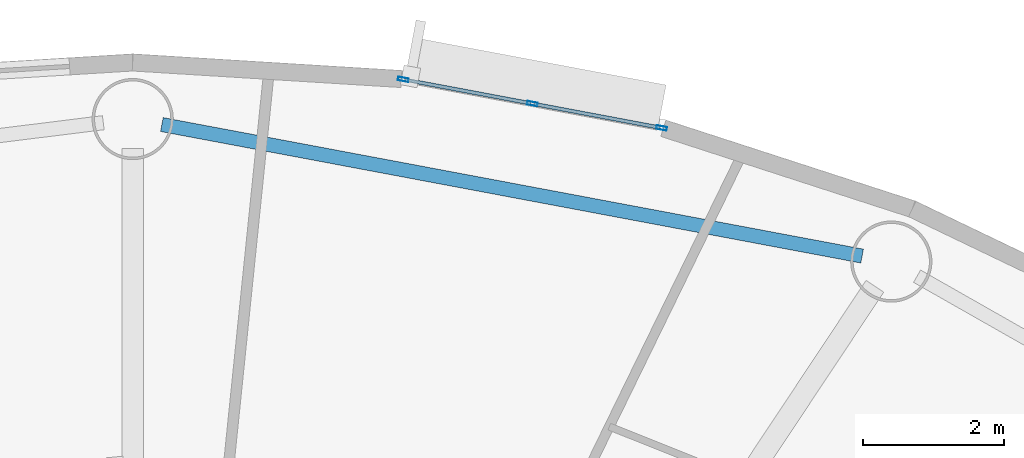
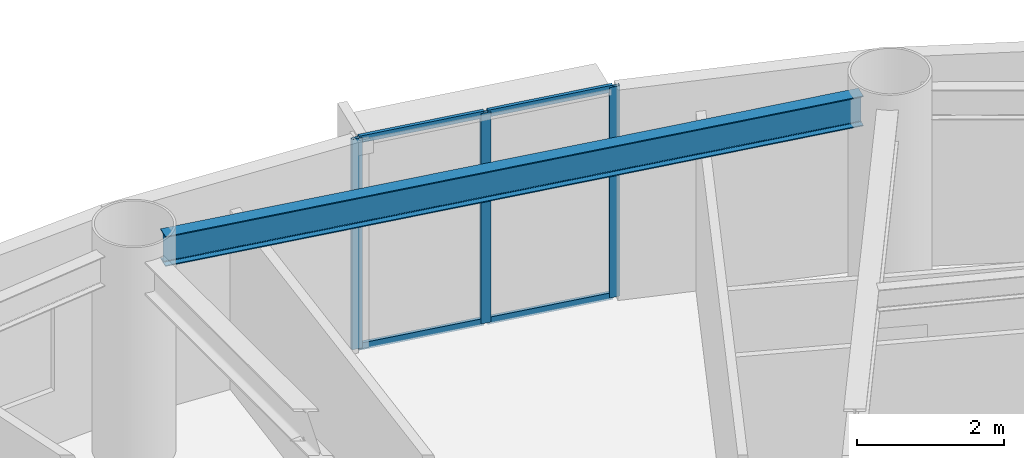
# One storey, part 4 of 18: 7 members, 1 beam, 1 element without a shape of its own.
"""IFC4 building model written with IfcOpenShell, lengths in metres."""

from ifc_helpers import new_model, si_unit, direction, frame, origin, origin_2d, place, context, subcontext, project, spatial, hollow_rectangle, i_section, extrude, source, transform, mapped, material, layer, layer_set, material_profile, profile_set, type_object, element, aggregate, save


model = new_model("IFC4")

# Units and contexts
model_context = context("Model", 3, precision=1e-05, world=origin(), true_north=direction((0.0, 1.0)))
body_context = subcontext(model_context, "Body", "Model", "MODEL_VIEW")
ifc_project = project(units=[si_unit("LENGTHUNIT", "METRE"), si_unit("AREAUNIT", "SQUARE_METRE"), si_unit("VOLUMEUNIT", "CUBIC_METRE"), si_unit("PLANEANGLEUNIT", "RADIAN"), si_unit("MASSUNIT", "GRAM", prefix="KILO")], contexts=[model_context])

# Site, building, storey
site_placement = place(None, origin())
site = spatial("IfcSite", under=ifc_project, at=site_placement, CompositionType="ELEMENT")
building_placement = place(site_placement, origin())
building = spatial("IfcBuilding", under=site, at=building_placement, Name="Linh Dai School and Residence Tower", CompositionType="ELEMENT")
storey_placement = place(building_placement, frame((0.0, 0.0, 225.300048828125)))
storey = spatial("IfcBuildingStorey", under=building, at=storey_placement, Name="L55", CompositionType="ELEMENT", Elevation=225.300048828125)

# Beam
ifc_material_1 = material(Name="Structural Steel S355JR", Category="steel")
ifc_material_profile_1 = material_profile(ifc_material_1, i_section(OverallWidth=0.199951171875, OverallDepth=0.5, WebThickness=0.01025390625, FlangeThickness=0.01611328125, FilletRadius=0.02099609375, at=origin_2d()), Name="IPE 500")
ifc_profile_set_1 = profile_set([ifc_material_profile_1], Name="Structural Steel S355JR")
beam_type = type_object("IfcBeamType", Name="BM-RB50", PredefinedType="BEAM", material=ifc_profile_set_1)
beam_placement = place(storey_placement, frame((46.32177734375, 43.240966796875, 3.25), z_axis=(-0.982806607762, 0.184637947722, 0.0), x_axis=(-0.184637947722, -0.982806607762, 0.0)))
element("IfcBeam", 1, at=beam_placement, inside=storey, type_object=beam_type, Name="L55 Perimeter Elliptical Ring Beam 04", PredefinedType="BEAM", context=body_context, shape_type="SweptSolid", body=[
    extrude(i_section(OverallWidth=0.199951171875, OverallDepth=0.5, WebThickness=0.01025390625, FlangeThickness=0.01611328125, FilletRadius=0.02099609375, at=origin_2d()), origin(), (0.0, 0.0, 1.0), 10.082275390625),
])

# Curtain wall, members
ifc_material_2 = material(Name="Aluminium Anodised Curtain Wall", Category="aluminium")
ifc_layer = layer(ifc_material_2, 0.14990234375)
ifc_layer_set = layer_set([ifc_layer], Name="Aluminium Anodised Curtain Wall")
curtain_wall_type = type_object("IfcCurtainWallType", Name="CW-SYS-4", PredefinedType="USERDEFINED", material=ifc_layer_set)
curtain_wall_placement = place(storey_placement, origin())
curtain_wall = element("IfcCurtainWall", 2, at=curtain_wall_placement, inside=storey, type_object=curtain_wall_type, Name="L55 CW4 Curtain Wall 09", ObjectType="RIBBON CURTAIN WALL", PredefinedType="USERDEFINED")
ifc_material_3 = material(Name="Aluminium Alloy 6063-T6", Category="aluminium")
ifc_material_profile_2 = material_profile(ifc_material_3, hollow_rectangle(XDim=0.052001953125, YDim=0.14990234375, WallThickness=0.00390625, at=origin_2d()), Name="RHS 150x52x4")
ifc_profile_set_2 = profile_set([ifc_material_profile_2], Name="Aluminium Alloy 6063-T6")
member_type_1 = type_object("IfcMemberType", Name="CW-SYS-4-MUL", PredefinedType="MULLION", material=ifc_profile_set_2)
shared_shape_1 = source(origin(), body_context, "Body", "SweptSolid", [
    extrude(hollow_rectangle(XDim=0.052001953125, YDim=0.14990234375, WallThickness=0.00390625, at=origin_2d()), origin(), (0.0, 0.0, 1.0), 3.5),
])
member_1_placement = place(storey_placement, frame((39.8271484375, 45.740966796875, 0.0), z_axis=(0.0, 0.0, 1.0), x_axis=(0.18474448537, 0.982786586765, 0.0)))
member_1 = element("IfcMember", 3, at=member_1_placement, type_object=member_type_1, Name="CW4 mullion 1", PredefinedType="MULLION", context=body_context, shape_type="MappedRepresentation", body=[
    mapped(shared_shape_1, transform((0.0, 0.0, 0.0), x_axis=(1.0, 0.0, 0.0), y_axis=(0.0, 1.0, 0.0), z_axis=(0.0, 0.0, 1.0), scale=1.0)),
])
member_2_placement = place(storey_placement, frame((41.655517578125, 45.397216796875, 0.0), z_axis=(0.0, 0.0, 1.0), x_axis=(0.18474448537, 0.982786586765, 0.0)))
member_2 = element("IfcMember", 4, at=member_2_placement, type_object=member_type_1, Name="CW4 mullion 2", PredefinedType="MULLION", context=body_context, shape_type="MappedRepresentation", body=[
    mapped(shared_shape_1, transform((0.0, 0.0, 0.0), x_axis=(1.0, 0.0, 0.0), y_axis=(0.0, 1.0, 0.0), z_axis=(0.0, 0.0, 1.0), scale=1.0)),
])
member_3_placement = place(storey_placement, frame((43.483642578125, 45.0537109375, 0.0), z_axis=(0.0, 0.0, 1.0), x_axis=(0.18474448537, 0.982786586765, 0.0)))
member_3 = element("IfcMember", 5, at=member_3_placement, type_object=member_type_1, Name="CW4 mullion 3", PredefinedType="MULLION", context=body_context, shape_type="MappedRepresentation", body=[
    mapped(shared_shape_1, transform((0.0, 0.0, 0.0), x_axis=(1.0, 0.0, 0.0), y_axis=(0.0, 1.0, 0.0), z_axis=(0.0, 0.0, 1.0), scale=1.0)),
])
ifc_material_profile_3 = material_profile(ifc_material_3, hollow_rectangle(XDim=0.052001953125, YDim=0.114990234375, WallThickness=0.00390625, at=origin_2d()), Name="RHS 115x52x4")
ifc_profile_set_3 = profile_set([ifc_material_profile_3], Name="Aluminium Alloy 6063-T6")
member_type_2 = type_object("IfcMemberType", Name="CW-SYS-4-TRN", PredefinedType="USERDEFINED", material=ifc_profile_set_3)
shared_shape_2 = source(origin(), body_context, "Body", "SweptSolid", [
    extrude(hollow_rectangle(XDim=0.052001953125, YDim=0.114990234375, WallThickness=0.00390625, at=origin_2d()), origin(), (0.0, 0.0, 1.0), 1.80810546875),
])
member_4_placement = place(storey_placement, frame((39.852783203125, 45.736083984375, 0.02587890625), z_axis=(0.982794145363, -0.184704271309, 0.0), x_axis=(0.184704271309, 0.982794145363, 0.0)))
member_4 = element("IfcMember", 6, at=member_4_placement, type_object=member_type_2, Name="CW4 transom 1.1", ObjectType="TRANSOM", PredefinedType="USERDEFINED", context=body_context, shape_type="MappedRepresentation", body=[
    mapped(shared_shape_2, transform((0.0, 0.0, 0.0), x_axis=(1.0, 0.0, 0.0), y_axis=(0.0, 1.0, 0.0), z_axis=(0.0, 0.0, 1.0), scale=1.0)),
])
member_5_placement = place(storey_placement, frame((39.852783203125, 45.736083984375, 3.473876953125), z_axis=(0.982794145363, -0.184704271309, 0.0), x_axis=(0.184704271309, 0.982794145363, 0.0)))
member_5 = element("IfcMember", 7, at=member_5_placement, type_object=member_type_2, Name="CW4 transom 1.2", ObjectType="TRANSOM", PredefinedType="USERDEFINED", context=body_context, shape_type="MappedRepresentation", body=[
    mapped(shared_shape_2, transform((0.0, 0.0, 0.0), x_axis=(1.0, 0.0, 0.0), y_axis=(0.0, 1.0, 0.0), z_axis=(0.0, 0.0, 1.0), scale=1.0)),
])
shared_shape_3 = source(origin(), body_context, "Body", "SweptSolid", [
    extrude(hollow_rectangle(XDim=0.052001953125, YDim=0.114990234375, WallThickness=0.00390625, at=origin_2d()), origin(), (0.0, 0.0, 1.0), 1.808349609375),
])
member_6_placement = place(storey_placement, frame((41.680908203125, 45.392578125, 0.02587890625), z_axis=(0.982769628055, -0.184834677951, 0.0), x_axis=(0.184834677951, 0.982769628055, 0.0)))
member_6 = element("IfcMember", 8, at=member_6_placement, type_object=member_type_2, Name="CW4 transom 2.1", ObjectType="TRANSOM", PredefinedType="USERDEFINED", context=body_context, shape_type="MappedRepresentation", body=[
    mapped(shared_shape_3, transform((0.0, 0.0, 0.0), x_axis=(1.0, 0.0, 0.0), y_axis=(0.0, 1.0, 0.0), z_axis=(0.0, 0.0, 1.0), scale=1.0)),
])
member_7_placement = place(storey_placement, frame((41.680908203125, 45.392578125, 3.473876953125), z_axis=(0.982769628055, -0.184834677951, 0.0), x_axis=(0.184834677951, 0.982769628055, 0.0)))
member_7 = element("IfcMember", 9, at=member_7_placement, type_object=member_type_2, Name="CW4 transom 2.2", ObjectType="TRANSOM", PredefinedType="USERDEFINED", context=body_context, shape_type="MappedRepresentation", body=[
    mapped(shared_shape_3, transform((0.0, 0.0, 0.0), x_axis=(1.0, 0.0, 0.0), y_axis=(0.0, 1.0, 0.0), z_axis=(0.0, 0.0, 1.0), scale=1.0)),
])
aggregate(curtain_wall, [member_1, member_2, member_3, member_4, member_5, member_6, member_7])

save(model, "model.ifc")
